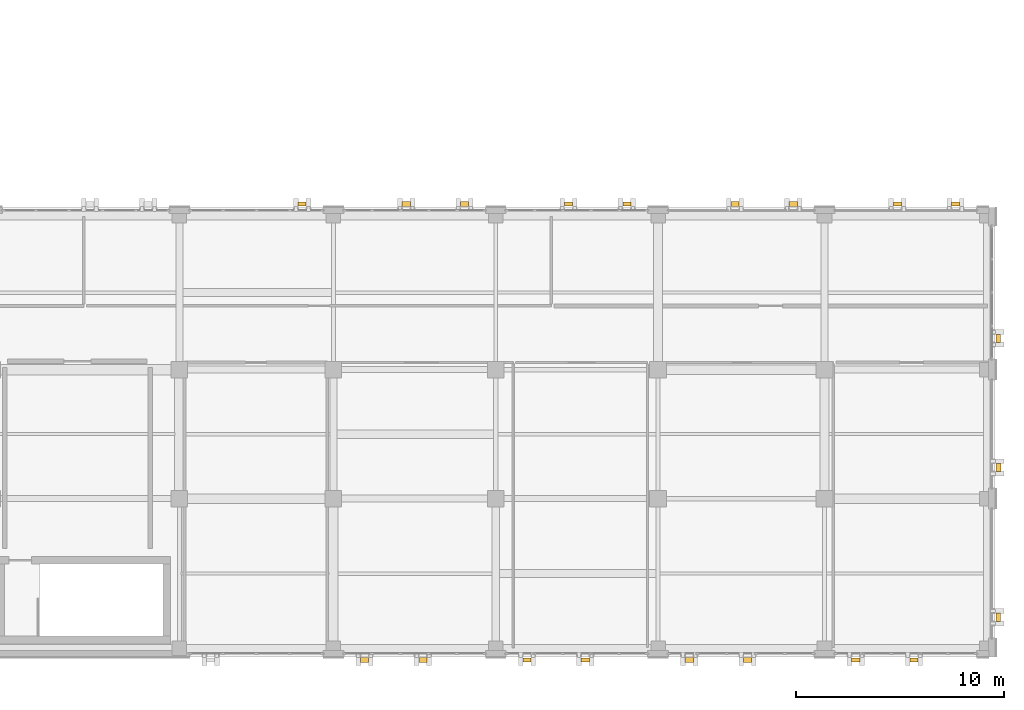
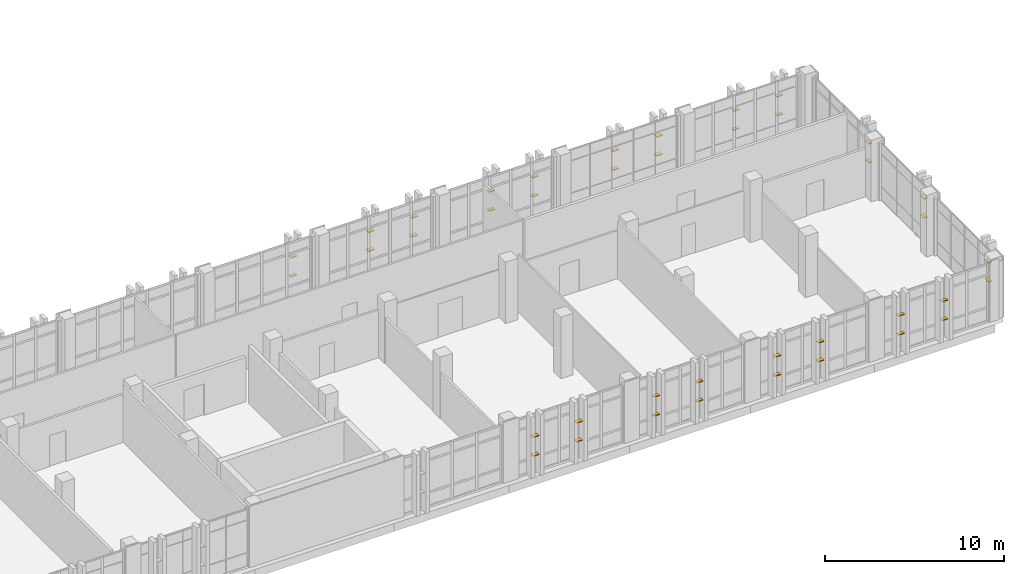
# One storey, part 193 of 193: 40 shading devices.
"""IFC4 building model written with IfcOpenShell, lengths in metres."""

from ifc_helpers import new_model, si_unit, direction, frame, origin, origin_2d, place, context, subcontext, project, spatial, rectangle, extrude, material, type_object, element, save


model = new_model("IFC4")

# Units and contexts
model_context = context("Model", 3, precision=1e-05, world=origin(), true_north=direction((0.0, 1.0)))
body_context = subcontext(model_context, "Body", "Model", "MODEL_VIEW")
ifc_project = project(units=[si_unit("LENGTHUNIT", "METRE"), si_unit("AREAUNIT", "SQUARE_METRE"), si_unit("VOLUMEUNIT", "CUBIC_METRE"), si_unit("PLANEANGLEUNIT", "RADIAN"), si_unit("MASSUNIT", "GRAM", prefix="KILO")], contexts=[model_context])

# Site, building, storey
site_placement = place(None, origin())
site = spatial("IfcSite", under=ifc_project, at=site_placement, CompositionType="ELEMENT")
building_placement = place(site_placement, origin())
building = spatial("IfcBuilding", under=site, at=building_placement, Name="Qalavern Law Courts", CompositionType="ELEMENT")
storey_placement = place(building_placement, frame((0.0, 0.0, 10.199951171875)))
storey = spatial("IfcBuildingStorey", under=building, at=storey_placement, Name="L02", CompositionType="ELEMENT", Elevation=10.199951171875)

# Shading devices
ifc_material = material(Name="Anodised aluminium", Category="aluminium")
shading_device_type_1 = type_object("IfcShadingDeviceType", Name="ENV-LOUV-1", PredefinedType="JALOUSIE", material=ifc_material)
for number, where, z_axis, x_axis, name in (
    (1, (143.5, 0.844970703125, 1.34033203125), (0.0, 0.0, 1.0), (1.0, 0.0, 0.0), "Horizontal sun louvre V6-L02-0-1"),
    (2, (143.5, 0.844970703125, 2.63232421875), (0.0, 0.0, 1.0), (1.0, 0.0, 0.0), "Horizontal sun louvre V6-L02-0-2"),
    (3, (146.300048828125, 0.844970703125, 1.34033203125), (0.0, 0.0, 1.0), (1.0, 0.0, 0.0), "Horizontal sun louvre V6-L02-1-1"),
    (4, (146.300048828125, 0.844970703125, 2.63232421875), (0.0, 0.0, 1.0), (1.0, 0.0, 0.0), "Horizontal sun louvre V6-L02-1-2"),
    (5, (159.300048828125, 0.844970703125, 1.34033203125), (0.0, 0.0, 1.0), (1.0, 0.0, 0.0), "Horizontal sun louvre V6-L02-0-1"),
    (6, (159.300048828125, 0.844970703125, 2.63232421875), (0.0, 0.0, 1.0), (1.0, 0.0, 0.0), "Horizontal sun louvre V6-L02-0-2"),
    (7, (162.10009765625, 0.844970703125, 1.34033203125), (0.0, 0.0, 1.0), (1.0, 0.0, 0.0), "Horizontal sun louvre V6-L02-1-1"),
    (8, (162.10009765625, 0.844970703125, 2.63232421875), (0.0, 0.0, 1.0), (1.0, 0.0, 0.0), "Horizontal sun louvre V6-L02-1-2"),
    (9, (166.155029296875, 2.89990234375, 1.34033203125), (0.0, 0.0, 1.0), (0.0, 1.0, 0.0), "Horizontal sun louvre V6-L02-0-1"),
    (10, (166.155029296875, 2.89990234375, 2.63232421875), (0.0, 0.0, 1.0), (0.0, 1.0, 0.0), "Horizontal sun louvre V6-L02-0-2"),
    (11, (166.155029296875, 16.300048828125, 1.34033203125), (0.0, 0.0, 1.0), (0.0, 1.0, 0.0), "Horizontal sun louvre V6-L02-0-1"),
    (12, (166.155029296875, 16.300048828125, 2.63232421875), (0.0, 0.0, 1.0), (0.0, 1.0, 0.0), "Horizontal sun louvre V6-L02-0-2"),
    (13, (164.10009765625, 22.7548828125, 1.34033203125), (0.0, 0.0, 1.0), (-1.0, 0.0, 0.0), "Horizontal sun louvre V6-L02-0-1"),
    (14, (164.10009765625, 22.7548828125, 2.63232421875), (0.0, 0.0, 1.0), (-1.0, 0.0, 0.0), "Horizontal sun louvre V6-L02-0-2"),
    (15, (161.300048828125, 22.7548828125, 1.34033203125), (0.0, 0.0, 1.0), (-1.0, 0.0, 0.0), "Horizontal sun louvre V6-L02-1-1"),
    (16, (161.300048828125, 22.7548828125, 2.63232421875), (0.0, 0.0, 1.0), (-1.0, 0.0, 0.0), "Horizontal sun louvre V6-L02-1-2"),
    (17, (148.300048828125, 22.7548828125, 1.34033203125), (0.0, 0.0, 1.0), (-1.0, 0.0, 0.0), "Horizontal sun louvre V6-L02-0-1"),
    (18, (148.300048828125, 22.7548828125, 2.63232421875), (0.0, 0.0, 1.0), (-1.0, 0.0, 0.0), "Horizontal sun louvre V6-L02-0-2"),
    (19, (145.5, 22.7548828125, 1.34033203125), (0.0, 0.0, 1.0), (-1.0, 0.0, 0.0), "Horizontal sun louvre V6-L02-1-1"),
    (20, (145.5, 22.7548828125, 2.63232421875), (0.0, 0.0, 1.0), (-1.0, 0.0, 0.0), "Horizontal sun louvre V6-L02-1-2"),
    (21, (132.699951171875, 22.7548828125, 1.34033203125), (0.0, 0.0, 1.0), (-1.0, 0.0, 0.0), "Horizontal sun louvre V6-L02-0-1"),
    (22, (132.699951171875, 22.7548828125, 2.63232421875), (0.0, 0.0, 1.0), (-1.0, 0.0, 0.0), "Horizontal sun louvre V6-L02-0-2"),
):
    element("IfcShadingDevice", number, at=place(storey_placement, frame(where, z_axis=z_axis, x_axis=x_axis)), inside=storey, type_object=shading_device_type_1, Name=name, PredefinedType="JALOUSIE", context=body_context, shape_type="SweptSolid", body=[
        extrude(rectangle(XDim=0.389892578125, YDim=0.2099609375, at=origin_2d()), origin(), (0.0, 0.0, 1.0), 0.06005859375),
    ])
shading_device_type_2 = type_object("IfcShadingDeviceType", Name="ENV-LOUV-2", PredefinedType="JALOUSIE", material=ifc_material)
for number, where, z_axis, x_axis, name in (
    (23, (135.699951171875, 0.844970703125, 1.34033203125), (0.0, 0.0, 1.0), (1.0, 0.0, 0.0), "Horizontal sun louvre V6-L02-0-1"),
    (24, (135.699951171875, 0.844970703125, 2.63232421875), (0.0, 0.0, 1.0), (1.0, 0.0, 0.0), "Horizontal sun louvre V6-L02-0-2"),
    (25, (138.5, 0.844970703125, 1.34033203125), (0.0, 0.0, 1.0), (1.0, 0.0, 0.0), "Horizontal sun louvre V6-L02-1-1"),
    (26, (138.5, 0.844970703125, 2.63232421875), (0.0, 0.0, 1.0), (1.0, 0.0, 0.0), "Horizontal sun louvre V6-L02-1-2"),
    (27, (151.300048828125, 0.844970703125, 1.34033203125), (0.0, 0.0, 1.0), (1.0, 0.0, 0.0), "Horizontal sun louvre V6-L02-0-1"),
    (28, (151.300048828125, 0.844970703125, 2.63232421875), (0.0, 0.0, 1.0), (1.0, 0.0, 0.0), "Horizontal sun louvre V6-L02-0-2"),
    (29, (154.10009765625, 0.844970703125, 1.34033203125), (0.0, 0.0, 1.0), (1.0, 0.0, 0.0), "Horizontal sun louvre V6-L02-1-1"),
    (30, (154.10009765625, 0.844970703125, 2.63232421875), (0.0, 0.0, 1.0), (1.0, 0.0, 0.0), "Horizontal sun louvre V6-L02-1-2"),
    (31, (166.155029296875, 10.10009765625, 1.34033203125), (0.0, 0.0, 1.0), (0.0, 1.0, 0.0), "Horizontal sun louvre V6-L02-0-1"),
    (32, (166.155029296875, 10.10009765625, 2.63232421875), (0.0, 0.0, 1.0), (0.0, 1.0, 0.0), "Horizontal sun louvre V6-L02-0-2"),
    (33, (156.300048828125, 22.7548828125, 1.34033203125), (0.0, 0.0, 1.0), (-1.0, 0.0, 0.0), "Horizontal sun louvre V6-L02-0-1"),
    (34, (156.300048828125, 22.7548828125, 2.63232421875), (0.0, 0.0, 1.0), (-1.0, 0.0, 0.0), "Horizontal sun louvre V6-L02-0-2"),
    (35, (153.5, 22.7548828125, 1.34033203125), (0.0, 0.0, 1.0), (-1.0, 0.0, 0.0), "Horizontal sun louvre V6-L02-1-1"),
    (36, (153.5, 22.7548828125, 2.63232421875), (0.0, 0.0, 1.0), (-1.0, 0.0, 0.0), "Horizontal sun louvre V6-L02-1-2"),
    (37, (140.5, 22.7548828125, 1.34033203125), (0.0, 0.0, 1.0), (-1.0, 0.0, 0.0), "Horizontal sun louvre V6-L02-0-1"),
    (38, (140.5, 22.7548828125, 2.63232421875), (0.0, 0.0, 1.0), (-1.0, 0.0, 0.0), "Horizontal sun louvre V6-L02-0-2"),
    (39, (137.699951171875, 22.7548828125, 1.34033203125), (0.0, 0.0, 1.0), (-1.0, 0.0, 0.0), "Horizontal sun louvre V6-L02-1-1"),
    (40, (137.699951171875, 22.7548828125, 2.63232421875), (0.0, 0.0, 1.0), (-1.0, 0.0, 0.0), "Horizontal sun louvre V6-L02-1-2"),
):
    element("IfcShadingDevice", number, at=place(storey_placement, frame(where, z_axis=z_axis, x_axis=x_axis)), inside=storey, type_object=shading_device_type_2, Name=name, PredefinedType="JALOUSIE", context=body_context, shape_type="SweptSolid", body=[
        extrude(rectangle(XDim=0.389892578125, YDim=0.25, at=origin_2d()), origin(), (0.0, 0.0, 1.0), 0.06005859375),
    ])

save(model, "model.ifc")
